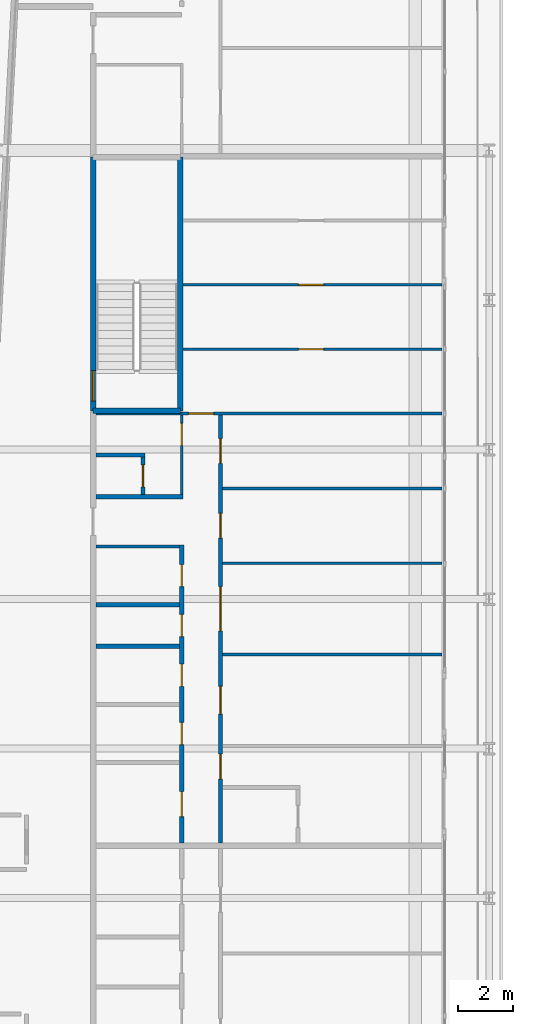
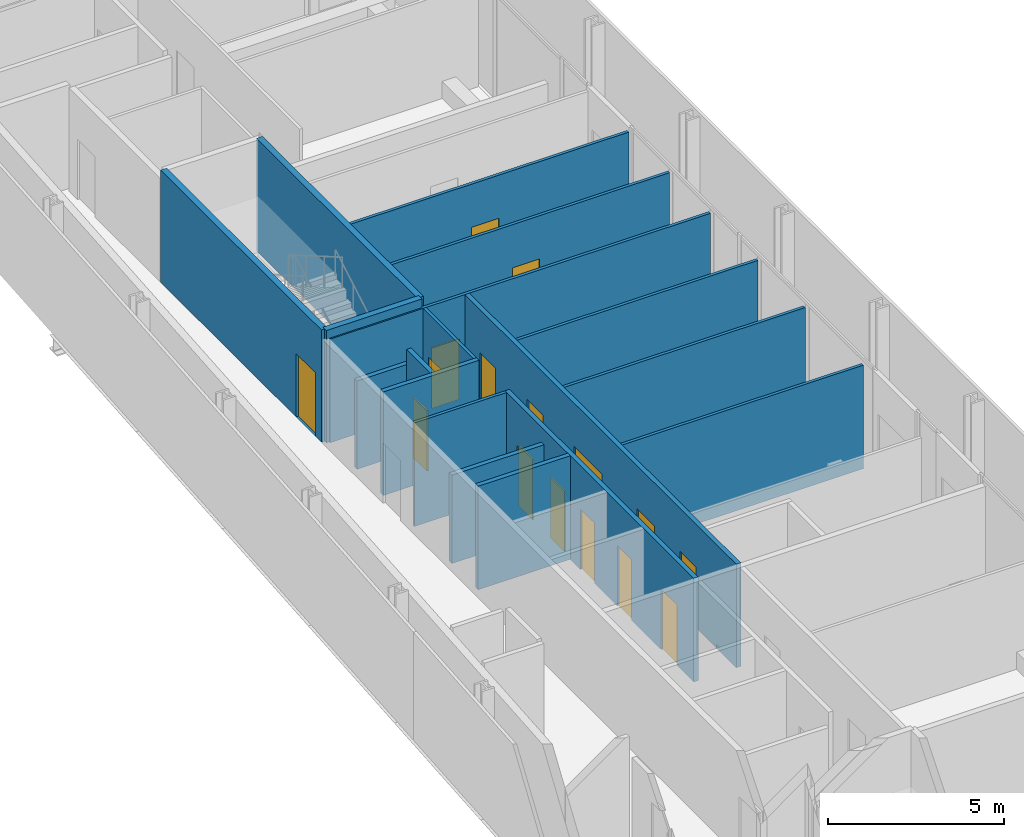
# One storey, part 18 of 28: 18 walls, 16 doors, 16 openings.
"""IFC4 building model written with IfcOpenShell, lengths in metres."""

from ifc_helpers import new_model, si_unit, direction, frame, frame_2d, origin, place, context, subcontext, project, spatial, rectangle, extrude, source, transform, mapped, material, layer, layer_set, type_object, element, fill, save


model = new_model("IFC4")

# Units and contexts
model_context = context("Model", 3, precision=1e-05, world=origin(), true_north=direction((0.0, 1.0)))
body_context = subcontext(model_context, "Body", "Model", "MODEL_VIEW")
ifc_project = project(units=[si_unit("LENGTHUNIT", "METRE"), si_unit("AREAUNIT", "SQUARE_METRE"), si_unit("VOLUMEUNIT", "CUBIC_METRE"), si_unit("PLANEANGLEUNIT", "RADIAN"), si_unit("MASSUNIT", "GRAM", prefix="KILO")], contexts=[model_context])

# Site, building, storey
site_placement = place(None, origin())
site = spatial("IfcSite", under=ifc_project, at=site_placement, CompositionType="ELEMENT")
building_placement = place(site_placement, origin())
building = spatial("IfcBuilding", under=site, at=building_placement, Name="Kheshtan School and Residences Tower", CompositionType="ELEMENT")
storey_placement = place(building_placement, frame((0.0, 0.0, 133.10009765625)))
storey = spatial("IfcBuildingStorey", under=building, at=storey_placement, Name="L31", CompositionType="ELEMENT", Elevation=133.10009765625)

# Wall
ifc_material_1 = material(Name="Gypsum board on steel studs", Category="steel")
ifc_layer_1 = layer(ifc_material_1, 0.10009765625)
ifc_layer_set_1 = layer_set([ifc_layer_1], Name="Gypsum partition 100")
wall_type_1 = type_object("IfcWallType", Name="Gypsum partition 100", PredefinedType="PARTITIONING", material=ifc_layer_set_1)
wall_1_placement = place(storey_placement, frame((33.39990234375, 74.5, 0.0), z_axis=(0.0, 0.0, 1.0), x_axis=(1.0, 0.0, 0.0)))
element("IfcWall", 1, at=wall_1_placement, inside=storey, type_object=wall_type_1, Name="Partition L31-014", PredefinedType="PARTITIONING", context=body_context, shape_type="SweptSolid", body=[
    extrude(rectangle(XDim=3.025146484375, YDim=0.10009765625, at=frame_2d((1.5126953125, 0.0))), origin(), (0.0, 0.0, 1.0), 3.599853515625),
])

# Wall, opening, door
wall_2_placement = place(storey_placement, frame((33.39990234375, 79.300048828125, 0.0), z_axis=(0.0, 0.0, 1.0), x_axis=(1.0, 0.0, 0.0)))
wall_2 = element("IfcWall", 2, at=wall_2_placement, inside=storey, type_object=wall_type_1, Name="Partition L31-017", PredefinedType="PARTITIONING", context=body_context, shape_type="SweptSolid", body=[
    extrude(rectangle(XDim=12.5, YDim=0.10009765625, at=frame_2d((6.25, 0.0))), origin(), (0.0, 0.0, 1.0), 3.599853515625),
])
opening_1_placement = place(wall_2_placement, frame((3.35009765625, 0.0, 0.0)))
opening_1 = element("IfcOpeningElement", 3, at=opening_1_placement, cuts=wall_2, Name="Opening D29-053", PredefinedType="OPENING", context=body_context, shape_type="SweptSolid", body=[
    extrude(rectangle(XDim=0.89990234375, YDim=2.10009765625, at=frame_2d((0.449951171875, 1.050048828125))), frame((0.0, 0.06005859375, 0.0), z_axis=(0.0, -1.0, 0.0), x_axis=(1.0, 0.0, 0.0)), (0.0, 0.0, 1.0), 0.1201171875),
])
ifc_material_2 = material(Name="Veneered timber door leaf", Category="wood")
door_type_1 = type_object("IfcDoorType", Name="Door 900 x 2100", OperationType="SINGLE_SWING_LEFT", PredefinedType="DOOR", material=ifc_material_2)
shared_shape_1 = source(origin(), body_context, "Body", "SweptSolid", [
    extrude(rectangle(XDim=0.89990234375, YDim=2.10009765625, at=frame_2d((0.449951171875, 1.050048828125))), frame((0.0, 0.02490234375, 0.0), z_axis=(0.0, -1.0, 0.0), x_axis=(1.0, 0.0, 0.0)), (0.0, 0.0, 1.0), 0.050048828125),
])
door_1_placement = place(opening_1_placement, origin())
door_1 = element("IfcDoor", 4, at=door_1_placement, inside=storey, type_object=door_type_1, Name="Door D29-053", OperationType="SINGLE_SWING_LEFT", OverallHeight=2.10009765625, OverallWidth=0.89990234375, PredefinedType="DOOR", context=body_context, shape_type="MappedRepresentation", body=[
    mapped(shared_shape_1, transform((0.0, 0.0, 0.0), x_axis=(1.0, 0.0, 0.0), y_axis=(0.0, 1.0, 0.0), z_axis=(0.0, 0.0, 1.0), scale=1.0)),
])
fill(opening_1, door_1)

wall_3_placement = place(storey_placement, frame((36.5, 76.375, 0.0), z_axis=(0.0, 0.0, 1.0), x_axis=(0.0, 1.0, 0.0)))
wall_3 = element("IfcWall", 5, at=wall_3_placement, inside=storey, type_object=wall_type_1, Name="Partition L31-026", PredefinedType="PARTITIONING", context=body_context, shape_type="SweptSolid", body=[
    extrude(rectangle(XDim=2.875, YDim=0.10009765625, at=frame_2d((1.4375, 0.0))), origin(), (0.0, 0.0, 1.0), 3.599853515625),
])
opening_2_placement = place(wall_3_placement, frame((1.77490234375, 0.0, 0.0)))
opening_2 = element("IfcOpeningElement", 6, at=opening_2_placement, cuts=wall_3, Name="Opening D29-048", PredefinedType="OPENING", context=body_context, shape_type="SweptSolid", body=[
    extrude(rectangle(XDim=0.800048828125, YDim=2.10009765625, at=frame_2d((0.39990234375, 1.050048828125))), frame((0.0, 0.06005859375, 0.0), z_axis=(0.0, -1.0, 0.0), x_axis=(1.0, 0.0, 0.0)), (0.0, 0.0, 1.0), 0.1201171875),
])
door_type_2 = type_object("IfcDoorType", Name="Door 800 x 2100", OperationType="SINGLE_SWING_LEFT", PredefinedType="DOOR", material=ifc_material_2)
shared_shape_2 = source(origin(), body_context, "Body", "SweptSolid", [
    extrude(rectangle(XDim=0.800048828125, YDim=2.10009765625, at=frame_2d((0.39990234375, 1.050048828125))), frame((0.0, 0.02490234375, 0.0), z_axis=(0.0, -1.0, 0.0), x_axis=(1.0, 0.0, 0.0)), (0.0, 0.0, 1.0), 0.050048828125),
])
door_2_placement = place(opening_2_placement, origin())
door_2 = element("IfcDoor", 7, at=door_2_placement, inside=storey, type_object=door_type_2, Name="Door D29-048", OperationType="SINGLE_SWING_RIGHT", OverallHeight=2.10009765625, OverallWidth=0.800048828125, PredefinedType="DOOR", context=body_context, shape_type="MappedRepresentation", body=[
    mapped(shared_shape_2, transform((0.0, 0.0, 0.0), x_axis=(1.0, 0.0, 0.0), y_axis=(0.0, 1.0, 0.0), z_axis=(0.0, 0.0, 1.0), scale=1.0)),
])
fill(opening_2, door_2)

wall_4_placement = place(storey_placement, frame((36.549072265625, 81.625, 0.0), z_axis=(0.0, 0.0, 1.0), x_axis=(1.0, 0.0, 0.0)))
wall_4 = element("IfcWall", 8, at=wall_4_placement, inside=storey, type_object=wall_type_1, Name="Partition L31-029", PredefinedType="PARTITIONING", context=body_context, shape_type="SweptSolid", body=[
    extrude(rectangle(XDim=9.350830078125, YDim=0.10009765625, at=frame_2d((4.67529296875, 0.0))), origin(), (0.0, 0.0, 1.0), 3.599853515625),
])
opening_3_placement = place(wall_4_placement, frame((4.176025390625, 0.0, 0.0)))
opening_3 = element("IfcOpeningElement", 9, at=opening_3_placement, cuts=wall_4, Name="Opening D29-054", PredefinedType="OPENING", context=body_context, shape_type="SweptSolid", body=[
    extrude(rectangle(XDim=0.89990234375, YDim=2.10009765625, at=frame_2d((0.449951171875, 1.050048828125))), frame((0.0, 0.06005859375, 0.0), z_axis=(0.0, -1.0, 0.0), x_axis=(1.0, 0.0, 0.0)), (0.0, 0.0, 1.0), 0.1201171875),
])
door_3_placement = place(opening_3_placement, origin())
door_3 = element("IfcDoor", 10, at=door_3_placement, inside=storey, type_object=door_type_1, Name="Door D29-054", OperationType="SINGLE_SWING_RIGHT", OverallHeight=2.10009765625, OverallWidth=0.89990234375, PredefinedType="DOOR", context=body_context, shape_type="MappedRepresentation", body=[
    mapped(shared_shape_1, transform((0.0, 0.0, 0.0), x_axis=(1.0, 0.0, 0.0), y_axis=(0.0, 1.0, 0.0), z_axis=(0.0, 0.0, 1.0), scale=1.0)),
])
fill(opening_3, door_3)

wall_5_placement = place(storey_placement, frame((36.549072265625, 83.949951171875, 0.0), z_axis=(0.0, 0.0, 1.0), x_axis=(1.0, 0.0, 0.0)))
wall_5 = element("IfcWall", 11, at=wall_5_placement, inside=storey, type_object=wall_type_1, Name="Partition L31-030", PredefinedType="PARTITIONING", context=body_context, shape_type="SweptSolid", body=[
    extrude(rectangle(XDim=9.350830078125, YDim=0.10009765625, at=frame_2d((4.67529296875, 0.0))), origin(), (0.0, 0.0, 1.0), 3.599853515625),
])
opening_4_placement = place(wall_5_placement, frame((4.176025390625, 0.0, 0.0)))
opening_4 = element("IfcOpeningElement", 12, at=opening_4_placement, cuts=wall_5, Name="Opening D29-055", PredefinedType="OPENING", context=body_context, shape_type="SweptSolid", body=[
    extrude(rectangle(XDim=0.89990234375, YDim=2.10009765625, at=frame_2d((0.449951171875, 1.050048828125))), frame((0.0, 0.06005859375, 0.0), z_axis=(0.0, -1.0, 0.0), x_axis=(1.0, 0.0, 0.0)), (0.0, 0.0, 1.0), 0.1201171875),
])
door_4_placement = place(opening_4_placement, origin())
door_4 = element("IfcDoor", 13, at=door_4_placement, inside=storey, type_object=door_type_1, Name="Door D29-055", OperationType="SINGLE_SWING_RIGHT", OverallHeight=2.10009765625, OverallWidth=0.89990234375, PredefinedType="DOOR", context=body_context, shape_type="MappedRepresentation", body=[
    mapped(shared_shape_1, transform((0.0, 0.0, 0.0), x_axis=(1.0, 0.0, 0.0), y_axis=(0.0, 1.0, 0.0), z_axis=(0.0, 0.0, 1.0), scale=1.0)),
])
fill(opening_4, door_4)

# Walls
for number, where, z_axis, x_axis, name in (
    (14, (37.97509765625, 70.60009765625, 0.0), (0.0, 0.0, 1.0), (1.0, 0.0, 0.0), "Partition L31-039"),
    (15, (37.97509765625, 73.89990234375, 0.0), (0.0, 0.0, 1.0), (1.0, 0.0, 0.0), "Partition L31-040"),
    (16, (37.97509765625, 76.60009765625, 0.0), (0.0, 0.0, 1.0), (1.0, 0.0, 0.0), "Partition L31-041"),
):
    element("IfcWall", number, at=place(storey_placement, frame(where, z_axis=z_axis, x_axis=x_axis)), inside=storey, type_object=wall_type_1, Name=name, PredefinedType="PARTITIONING", context=body_context, shape_type="SweptSolid", body=[
        extrude(rectangle(XDim=7.9248046875, YDim=0.10009765625, at=frame_2d((3.96240234375, 0.0))), origin(), (0.0, 0.0, 1.0), 3.599853515625),
    ])
ifc_material_3 = material(Name="Concrete C40/50", Category="concrete")
ifc_layer_2 = layer(ifc_material_3, 0.199951171875)
ifc_layer_set_2 = layer_set([ifc_layer_2], Name="Stair enclosure wall 200 Concrete C40/50")
wall_type_2 = type_object("IfcWallType", Name="Stair enclosure wall 200 Concrete C40/50", PredefinedType="SHEAR", material=ifc_layer_set_2)
wall_6_placement = place(storey_placement, frame((33.300048828125, 79.39990234375, 0.0), z_axis=(0.0, 0.0, 1.0), x_axis=(1.0, 0.0, 0.0)))
element("IfcWall", 17, at=wall_6_placement, inside=storey, type_object=wall_type_2, Name="Stair enclosure wall ST3", PredefinedType="SHEAR", context=body_context, shape_type="SweptSolid", body=[
    extrude(rectangle(XDim=3.14990234375, YDim=0.199951171875, at=frame_2d((1.574951171875, 0.0))), origin(), (0.0, 0.0, 1.0), 3.89990234375),
])

# Wall, opening, door
wall_7_placement = place(storey_placement, frame((33.300048828125, 79.39990234375, 0.0), z_axis=(0.0, 0.0, 1.0), x_axis=(0.0, 1.0, 0.0)))
wall_7 = element("IfcWall", 18, at=wall_7_placement, inside=storey, type_object=wall_type_2, Name="Stair enclosure wall ST3", PredefinedType="SHEAR", context=body_context, shape_type="SweptSolid", body=[
    extrude(rectangle(XDim=9.16015625, YDim=0.199951171875, at=frame_2d((4.580078125, 0.0))), origin(), (0.0, 0.0, 1.0), 3.89990234375),
])
opening_5_placement = place(wall_7_placement, frame((0.35009765625, 0.0, 0.0)))
opening_5 = element("IfcOpeningElement", 19, at=opening_5_placement, cuts=wall_7, Name="Opening ST3D", PredefinedType="OPENING", context=body_context, shape_type="SweptSolid", body=[
    extrude(rectangle(XDim=1.10009765625, YDim=2.199951171875, at=frame_2d((0.550048828125, 1.10009765625))), frame((0.0, 0.10986328125, 0.0), z_axis=(0.0, -1.0, 0.0), x_axis=(1.0, 0.0, 0.0)), (0.0, 0.0, 1.0), 0.219970703125),
])
ifc_material_4 = material(Name="Steel door leaf, galvanised", Category="steel")
door_type_3 = type_object("IfcDoorType", Name="Stair door 1100 steel 90 min", OperationType="SINGLE_SWING_LEFT", PredefinedType="DOOR", material=ifc_material_4)
shared_shape_3 = source(origin(), body_context, "Body", "SweptSolid", [
    extrude(rectangle(XDim=1.10009765625, YDim=2.199951171875, at=frame_2d((0.550048828125, 1.10009765625))), frame((0.0, 0.02490234375, 0.0), z_axis=(0.0, -1.0, 0.0), x_axis=(1.0, 0.0, 0.0)), (0.0, 0.0, 1.0), 0.050048828125),
])
door_5_placement = place(opening_5_placement, origin())
door_5 = element("IfcDoor", 20, at=door_5_placement, inside=storey, type_object=door_type_3, Name="Stair ST3 door", OperationType="SINGLE_SWING_RIGHT", OverallHeight=2.199951171875, OverallWidth=1.10009765625, PredefinedType="DOOR", context=body_context, shape_type="MappedRepresentation", body=[
    mapped(shared_shape_3, transform((0.0, 0.0, 0.0), x_axis=(1.0, 0.0, 0.0), y_axis=(0.0, 1.0, 0.0), z_axis=(0.0, 0.0, 1.0), scale=1.0)),
])
fill(opening_5, door_5)

# Walls
wall_8_placement = place(storey_placement, frame((36.449951171875, 79.39990234375, 0.0), z_axis=(0.0, 0.0, 1.0), x_axis=(0.0, 1.0, 0.0)))
element("IfcWall", 21, at=wall_8_placement, inside=storey, type_object=wall_type_2, Name="Stair enclosure wall ST3", PredefinedType="SHEAR", context=body_context, shape_type="SweptSolid", body=[
    extrude(rectangle(XDim=9.16015625, YDim=0.199951171875, at=frame_2d((4.580078125, 0.0))), origin(), (0.0, 0.0, 1.0), 3.89990234375),
])
ifc_material_5 = material(Name="Moisture-resistant gypsum board on steel studs", Category="steel")
ifc_layer_3 = layer(ifc_material_5, 0.14990234375)
ifc_layer_set_3 = layer_set([ifc_layer_3], Name="Wet-room partition 150")
wall_type_3 = type_object("IfcWallType", Name="Wet-room partition 150", PredefinedType="PARTITIONING", material=ifc_layer_set_3)
wall_9_placement = place(storey_placement, frame((33.39990234375, 70.89990234375, 0.0), z_axis=(0.0, 0.0, 1.0), x_axis=(1.0, 0.0, 0.0)))
element("IfcWall", 22, at=wall_9_placement, inside=storey, type_object=wall_type_3, Name="Partition L31-012", PredefinedType="PARTITIONING", context=body_context, shape_type="SweptSolid", body=[
    extrude(rectangle(XDim=3.025146484375, YDim=0.14990234375, at=frame_2d((1.5126953125, 0.0))), origin(), (0.0, 0.0, 1.0), 3.599853515625),
])
wall_10_placement = place(storey_placement, frame((33.39990234375, 72.39990234375, 0.0), z_axis=(0.0, 0.0, 1.0), x_axis=(1.0, 0.0, 0.0)))
element("IfcWall", 23, at=wall_10_placement, inside=storey, type_object=wall_type_3, Name="Partition L31-013", PredefinedType="PARTITIONING", context=body_context, shape_type="SweptSolid", body=[
    extrude(rectangle(XDim=3.025146484375, YDim=0.14990234375, at=frame_2d((1.5126953125, 0.0))), origin(), (0.0, 0.0, 1.0), 3.072021484375),
])
wall_11_placement = place(storey_placement, frame((33.39990234375, 76.300048828125, 0.0), z_axis=(0.0, 0.0, 1.0), x_axis=(1.0, 0.0, 0.0)))
element("IfcWall", 24, at=wall_11_placement, inside=storey, type_object=wall_type_3, Name="Partition L31-015", PredefinedType="PARTITIONING", context=body_context, shape_type="SweptSolid", body=[
    extrude(rectangle(XDim=3.150146484375, YDim=0.14990234375, at=frame_2d((1.5751953125, 0.0))), origin(), (0.0, 0.0, 1.0), 3.599853515625),
])
wall_12_placement = place(storey_placement, frame((33.39990234375, 77.800048828125, 0.0), z_axis=(0.0, 0.0, 1.0), x_axis=(1.0, 0.0, 0.0)))
element("IfcWall", 25, at=wall_12_placement, inside=storey, type_object=wall_type_3, Name="Partition L31-016", PredefinedType="PARTITIONING", context=body_context, shape_type="SweptSolid", body=[
    extrude(rectangle(XDim=1.775146484375, YDim=0.14990234375, at=frame_2d((0.8876953125, 0.0))), origin(), (0.0, 0.0, 1.0), 3.072021484375),
])

# Wall, opening, door
wall_13_placement = place(storey_placement, frame((35.10009765625, 76.375, 0.0), z_axis=(0.0, 0.0, 1.0), x_axis=(0.0, 1.0, 0.0)))
wall_13 = element("IfcWall", 26, at=wall_13_placement, inside=storey, type_object=wall_type_3, Name="Partition L31-022", PredefinedType="PARTITIONING", context=body_context, shape_type="SweptSolid", body=[
    extrude(rectangle(XDim=1.35009765625, YDim=0.14990234375, at=frame_2d((0.675048828125, 0.0))), origin(), (0.0, 0.0, 1.0), 3.599853515625),
])
opening_6_placement = place(wall_13_placement, frame((0.27490234375, 0.0, 0.0)))
opening_6 = element("IfcOpeningElement", 27, at=opening_6_placement, cuts=wall_13, Name="Opening D29-049", PredefinedType="OPENING", context=body_context, shape_type="SweptSolid", body=[
    extrude(rectangle(XDim=0.800048828125, YDim=2.10009765625, at=frame_2d((0.39990234375, 1.050048828125))), frame((0.0, 0.0849609375, 0.0), z_axis=(0.0, -1.0, 0.0), x_axis=(1.0, 0.0, 0.0)), (0.0, 0.0, 1.0), 0.169921875),
])
door_6_placement = place(opening_6_placement, origin())
door_6 = element("IfcDoor", 28, at=door_6_placement, inside=storey, type_object=door_type_2, Name="Door D29-049", OperationType="SINGLE_SWING_LEFT", OverallHeight=2.10009765625, OverallWidth=0.800048828125, PredefinedType="DOOR", context=body_context, shape_type="MappedRepresentation", body=[
    mapped(shared_shape_2, transform((0.0, 0.0, 0.0), x_axis=(1.0, 0.0, 0.0), y_axis=(0.0, 1.0, 0.0), z_axis=(0.0, 0.0, 1.0), scale=1.0)),
])
fill(opening_6, door_6)

# Wall, openings, doors
wall_14_placement = place(storey_placement, frame((36.5, 63.800048828125, 0.0), z_axis=(0.0, 0.0, 1.0), x_axis=(0.0, 1.0, 0.0)))
wall_14 = element("IfcWall", 29, at=wall_14_placement, inside=storey, type_object=wall_type_3, Name="Partition L31-025", PredefinedType="PARTITIONING", context=body_context, shape_type="SweptSolid", body=[
    extrude(rectangle(XDim=10.75, YDim=0.14990234375, at=frame_2d((5.375, 0.0))), origin(), (0.0, 0.0, 1.0), 3.599853515625),
])
opening_7_placement = place(wall_14_placement, frame((3.550048828125, 0.0, 0.0)))
opening_7 = element("IfcOpeningElement", 30, at=opening_7_placement, cuts=wall_14, Name="Opening D29-039", PredefinedType="OPENING", context=body_context, shape_type="SweptSolid", body=[
    extrude(rectangle(XDim=0.800048828125, YDim=2.10009765625, at=frame_2d((0.39990234375, 1.050048828125))), frame((0.0, 0.0849609375, 0.0), z_axis=(0.0, -1.0, 0.0), x_axis=(1.0, 0.0, 0.0)), (0.0, 0.0, 1.0), 0.169921875),
])
opening_8_placement = place(wall_14_placement, frame((5.64990234375, 0.0, 0.0)))
opening_8 = element("IfcOpeningElement", 31, at=opening_8_placement, cuts=wall_14, Name="Opening D29-040", PredefinedType="OPENING", context=body_context, shape_type="SweptSolid", body=[
    extrude(rectangle(XDim=0.800048828125, YDim=2.10009765625, at=frame_2d((0.39990234375, 1.050048828125))), frame((0.0, 0.0849609375, 0.0), z_axis=(0.0, -1.0, 0.0), x_axis=(1.0, 0.0, 0.0)), (0.0, 0.0, 1.0), 0.169921875),
])
opening_9_placement = place(wall_14_placement, frame((9.25, 0.0, 0.0)))
opening_9 = element("IfcOpeningElement", 32, at=opening_9_placement, cuts=wall_14, Name="Opening D29-043", PredefinedType="OPENING", context=body_context, shape_type="SweptSolid", body=[
    extrude(rectangle(XDim=0.800048828125, YDim=2.10009765625, at=frame_2d((0.39990234375, 1.050048828125))), frame((0.0, 0.0849609375, 0.0), z_axis=(0.0, -1.0, 0.0), x_axis=(1.0, 0.0, 0.0)), (0.0, 0.0, 1.0), 0.169921875),
])
opening_10_placement = place(wall_14_placement, frame((0.949951171875, 0.0, 0.0)))
opening_10 = element("IfcOpeningElement", 33, at=opening_10_placement, cuts=wall_14, Name="Opening D29-046", PredefinedType="OPENING", context=body_context, shape_type="SweptSolid", body=[
    extrude(rectangle(XDim=0.89990234375, YDim=2.10009765625, at=frame_2d((0.449951171875, 1.050048828125))), frame((0.0, 0.0849609375, 0.0), z_axis=(0.0, -1.0, 0.0), x_axis=(1.0, 0.0, 0.0)), (0.0, 0.0, 1.0), 0.169921875),
])
opening_11_placement = place(wall_14_placement, frame((7.449951171875, 0.0, 0.0)))
opening_11 = element("IfcOpeningElement", 34, at=opening_11_placement, cuts=wall_14, Name="Opening D29-052", PredefinedType="OPENING", context=body_context, shape_type="SweptSolid", body=[
    extrude(rectangle(XDim=0.800048828125, YDim=2.10009765625, at=frame_2d((0.39990234375, 1.050048828125))), frame((0.0, 0.0849609375, 0.0), z_axis=(0.0, -1.0, 0.0), x_axis=(1.0, 0.0, 0.0)), (0.0, 0.0, 1.0), 0.169921875),
])
door_7_placement = place(opening_7_placement, origin())
door_7 = element("IfcDoor", 35, at=door_7_placement, inside=storey, type_object=door_type_2, Name="Door D29-039", OperationType="SINGLE_SWING_RIGHT", OverallHeight=2.10009765625, OverallWidth=0.800048828125, PredefinedType="DOOR", context=body_context, shape_type="MappedRepresentation", body=[
    mapped(shared_shape_2, transform((0.0, 0.0, 0.0), x_axis=(1.0, 0.0, 0.0), y_axis=(0.0, 1.0, 0.0), z_axis=(0.0, 0.0, 1.0), scale=1.0)),
])
fill(opening_7, door_7)
door_8_placement = place(opening_8_placement, origin())
door_8 = element("IfcDoor", 36, at=door_8_placement, inside=storey, type_object=door_type_2, Name="Door D29-040", OperationType="SINGLE_SWING_RIGHT", OverallHeight=2.10009765625, OverallWidth=0.800048828125, PredefinedType="DOOR", context=body_context, shape_type="MappedRepresentation", body=[
    mapped(shared_shape_2, transform((0.0, 0.0, 0.0), x_axis=(1.0, 0.0, 0.0), y_axis=(0.0, 1.0, 0.0), z_axis=(0.0, 0.0, 1.0), scale=1.0)),
])
fill(opening_8, door_8)
door_9_placement = place(opening_9_placement, origin())
door_9 = element("IfcDoor", 37, at=door_9_placement, inside=storey, type_object=door_type_2, Name="Door D29-043", OperationType="SINGLE_SWING_RIGHT", OverallHeight=2.10009765625, OverallWidth=0.800048828125, PredefinedType="DOOR", context=body_context, shape_type="MappedRepresentation", body=[
    mapped(shared_shape_2, transform((0.0, 0.0, 0.0), x_axis=(1.0, 0.0, 0.0), y_axis=(0.0, 1.0, 0.0), z_axis=(0.0, 0.0, 1.0), scale=1.0)),
])
fill(opening_9, door_9)
door_10_placement = place(opening_11_placement, origin())
door_10 = element("IfcDoor", 38, at=door_10_placement, inside=storey, type_object=door_type_2, Name="Door D29-052", OperationType="SINGLE_SWING_RIGHT", OverallHeight=2.10009765625, OverallWidth=0.800048828125, PredefinedType="DOOR", context=body_context, shape_type="MappedRepresentation", body=[
    mapped(shared_shape_2, transform((0.0, 0.0, 0.0), x_axis=(1.0, 0.0, 0.0), y_axis=(0.0, 1.0, 0.0), z_axis=(0.0, 0.0, 1.0), scale=1.0)),
])
fill(opening_11, door_10)
door_11_placement = place(opening_10_placement, origin())
door_11 = element("IfcDoor", 39, at=door_11_placement, inside=storey, type_object=door_type_1, Name="Door D29-046", OperationType="SINGLE_SWING_RIGHT", OverallHeight=2.10009765625, OverallWidth=0.89990234375, PredefinedType="DOOR", context=body_context, shape_type="MappedRepresentation", body=[
    mapped(shared_shape_1, transform((0.0, 0.0, 0.0), x_axis=(1.0, 0.0, 0.0), y_axis=(0.0, 1.0, 0.0), z_axis=(0.0, 0.0, 1.0), scale=1.0)),
])
fill(opening_10, door_11)

wall_15_placement = place(storey_placement, frame((37.89990234375, 63.800048828125, 0.0), z_axis=(0.0, 0.0, 1.0), x_axis=(0.0, 1.0, 0.0)))
wall_15 = element("IfcWall", 40, at=wall_15_placement, inside=storey, type_object=wall_type_3, Name="Partition L31-033", PredefinedType="PARTITIONING", context=body_context, shape_type="SweptSolid", body=[
    extrude(rectangle(XDim=15.449951171875, YDim=0.14990234375, at=frame_2d((7.72509765625, 0.0))), origin(), (0.0, 0.0, 1.0), 3.599853515625),
])
opening_12_placement = place(wall_15_placement, frame((11.0, 0.0, 0.0)))
opening_12 = element("IfcOpeningElement", 41, at=opening_12_placement, cuts=wall_15, Name="Opening D29-041", PredefinedType="OPENING", context=body_context, shape_type="SweptSolid", body=[
    extrude(rectangle(XDim=0.89990234375, YDim=2.10009765625, at=frame_2d((0.449951171875, 1.050048828125))), frame((0.0, 0.0849609375, 0.0), z_axis=(0.0, -1.0, 0.0), x_axis=(1.0, 0.0, 0.0)), (0.0, 0.0, 1.0), 0.169921875),
])
opening_13_placement = place(wall_15_placement, frame((13.699951171875, 0.0, 0.0)))
opening_13 = element("IfcOpeningElement", 42, at=opening_13_placement, cuts=wall_15, Name="Opening D29-042", PredefinedType="OPENING", context=body_context, shape_type="SweptSolid", body=[
    extrude(rectangle(XDim=0.89990234375, YDim=2.10009765625, at=frame_2d((0.449951171875, 1.050048828125))), frame((0.0, 0.0849609375, 0.0), z_axis=(0.0, -1.0, 0.0), x_axis=(1.0, 0.0, 0.0)), (0.0, 0.0, 1.0), 0.169921875),
])
opening_14_placement = place(wall_15_placement, frame((4.64990234375, 0.0, 0.0)))
opening_14 = element("IfcOpeningElement", 43, at=opening_14_placement, cuts=wall_15, Name="Opening D29-047", PredefinedType="OPENING", context=body_context, shape_type="SweptSolid", body=[
    extrude(rectangle(XDim=1.0, YDim=2.10009765625, at=frame_2d((0.5, 1.050048828125))), frame((0.0, 0.0849609375, 0.0), z_axis=(0.0, -1.0, 0.0), x_axis=(1.0, 0.0, 0.0)), (0.0, 0.0, 1.0), 0.169921875),
])
opening_15_placement = place(wall_15_placement, frame((7.64990234375, 0.0, 0.0)))
opening_15 = element("IfcOpeningElement", 44, at=opening_15_placement, cuts=wall_15, Name="Opening D29-050", PredefinedType="OPENING", context=body_context, shape_type="SweptSolid", body=[
    extrude(rectangle(XDim=1.60009765625, YDim=2.10009765625, at=frame_2d((0.800048828125, 1.050048828125))), frame((0.0, 0.0849609375, 0.0), z_axis=(0.0, -1.0, 0.0), x_axis=(1.0, 0.0, 0.0)), (0.0, 0.0, 1.0), 0.169921875),
])
opening_16_placement = place(wall_15_placement, frame((2.300048828125, 0.0, 0.0)))
opening_16 = element("IfcOpeningElement", 45, at=opening_16_placement, cuts=wall_15, Name="Opening D29-051", PredefinedType="OPENING", context=body_context, shape_type="SweptSolid", body=[
    extrude(rectangle(XDim=0.89990234375, YDim=2.10009765625, at=frame_2d((0.449951171875, 1.050048828125))), frame((0.0, 0.0849609375, 0.0), z_axis=(0.0, -1.0, 0.0), x_axis=(1.0, 0.0, 0.0)), (0.0, 0.0, 1.0), 0.169921875),
])
door_type_4 = type_object("IfcDoorType", Name="Door 1000 x 2100", OperationType="SINGLE_SWING_LEFT", PredefinedType="DOOR", material=ifc_material_2)
shared_shape_4 = source(origin(), body_context, "Body", "SweptSolid", [
    extrude(rectangle(XDim=1.0, YDim=2.10009765625, at=frame_2d((0.5, 1.050048828125))), frame((0.0, 0.02490234375, 0.0), z_axis=(0.0, -1.0, 0.0), x_axis=(1.0, 0.0, 0.0)), (0.0, 0.0, 1.0), 0.050048828125),
])
door_12_placement = place(opening_14_placement, origin())
door_12 = element("IfcDoor", 46, at=door_12_placement, inside=storey, type_object=door_type_4, Name="Door D29-047", OperationType="SINGLE_SWING_LEFT", OverallHeight=2.10009765625, OverallWidth=1.0, PredefinedType="DOOR", context=body_context, shape_type="MappedRepresentation", body=[
    mapped(shared_shape_4, transform((0.0, 0.0, 0.0), x_axis=(1.0, 0.0, 0.0), y_axis=(0.0, 1.0, 0.0), z_axis=(0.0, 0.0, 1.0), scale=1.0)),
])
fill(opening_14, door_12)
door_13_placement = place(opening_12_placement, origin())
door_13 = element("IfcDoor", 47, at=door_13_placement, inside=storey, type_object=door_type_1, Name="Door D29-041", OperationType="SINGLE_SWING_LEFT", OverallHeight=2.10009765625, OverallWidth=0.89990234375, PredefinedType="DOOR", context=body_context, shape_type="MappedRepresentation", body=[
    mapped(shared_shape_1, transform((0.0, 0.0, 0.0), x_axis=(1.0, 0.0, 0.0), y_axis=(0.0, 1.0, 0.0), z_axis=(0.0, 0.0, 1.0), scale=1.0)),
])
fill(opening_12, door_13)
door_14_placement = place(opening_13_placement, origin())
door_14 = element("IfcDoor", 48, at=door_14_placement, inside=storey, type_object=door_type_1, Name="Door D29-042", OperationType="SINGLE_SWING_RIGHT", OverallHeight=2.10009765625, OverallWidth=0.89990234375, PredefinedType="DOOR", context=body_context, shape_type="MappedRepresentation", body=[
    mapped(shared_shape_1, transform((0.0, 0.0, 0.0), x_axis=(1.0, 0.0, 0.0), y_axis=(0.0, 1.0, 0.0), z_axis=(0.0, 0.0, 1.0), scale=1.0)),
])
fill(opening_13, door_14)
door_15_placement = place(opening_16_placement, origin())
door_15 = element("IfcDoor", 49, at=door_15_placement, inside=storey, type_object=door_type_1, Name="Door D29-051", OperationType="SINGLE_SWING_RIGHT", OverallHeight=2.10009765625, OverallWidth=0.89990234375, PredefinedType="DOOR", context=body_context, shape_type="MappedRepresentation", body=[
    mapped(shared_shape_1, transform((0.0, 0.0, 0.0), x_axis=(1.0, 0.0, 0.0), y_axis=(0.0, 1.0, 0.0), z_axis=(0.0, 0.0, 1.0), scale=1.0)),
])
fill(opening_16, door_15)
door_type_5 = type_object("IfcDoorType", Name="Double door 1600 x 2100", OperationType="DOUBLE_DOOR_SINGLE_SWING", PredefinedType="DOOR", material=ifc_material_2)
shared_shape_5 = source(origin(), body_context, "Body", "SweptSolid", [
    extrude(rectangle(XDim=1.60009765625, YDim=2.10009765625, at=frame_2d((0.800048828125, 1.050048828125))), frame((0.0, 0.02490234375, 0.0), z_axis=(0.0, -1.0, 0.0), x_axis=(1.0, 0.0, 0.0)), (0.0, 0.0, 1.0), 0.050048828125),
])
door_16_placement = place(opening_15_placement, origin())
door_16 = element("IfcDoor", 50, at=door_16_placement, inside=storey, type_object=door_type_5, Name="Door D29-050", OperationType="DOUBLE_DOOR_SINGLE_SWING", OverallHeight=2.10009765625, OverallWidth=1.60009765625, PredefinedType="DOOR", context=body_context, shape_type="MappedRepresentation", body=[
    mapped(shared_shape_5, transform((0.0, 0.0, 0.0), x_axis=(1.0, 0.0, 0.0), y_axis=(0.0, 1.0, 0.0), z_axis=(0.0, 0.0, 1.0), scale=1.0)),
])
fill(opening_15, door_16)

save(model, "model.ifc")
